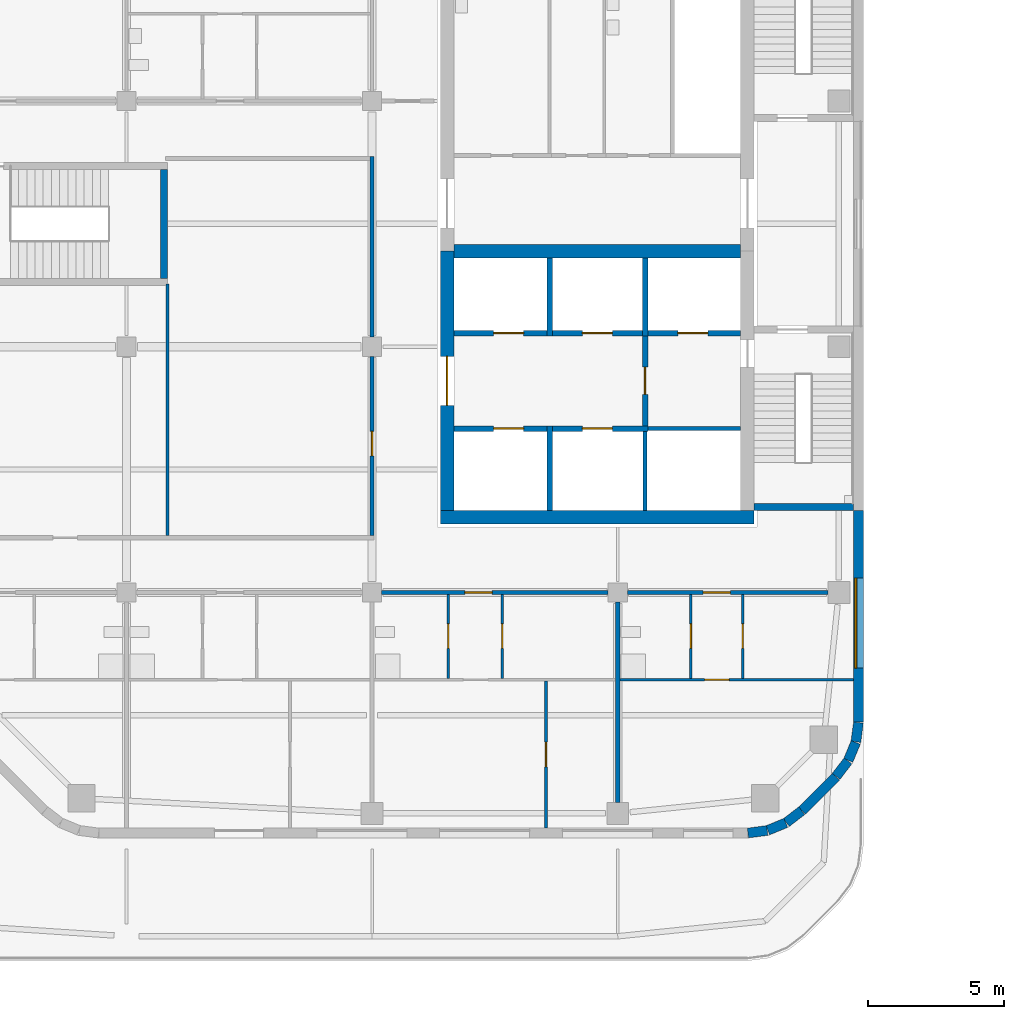
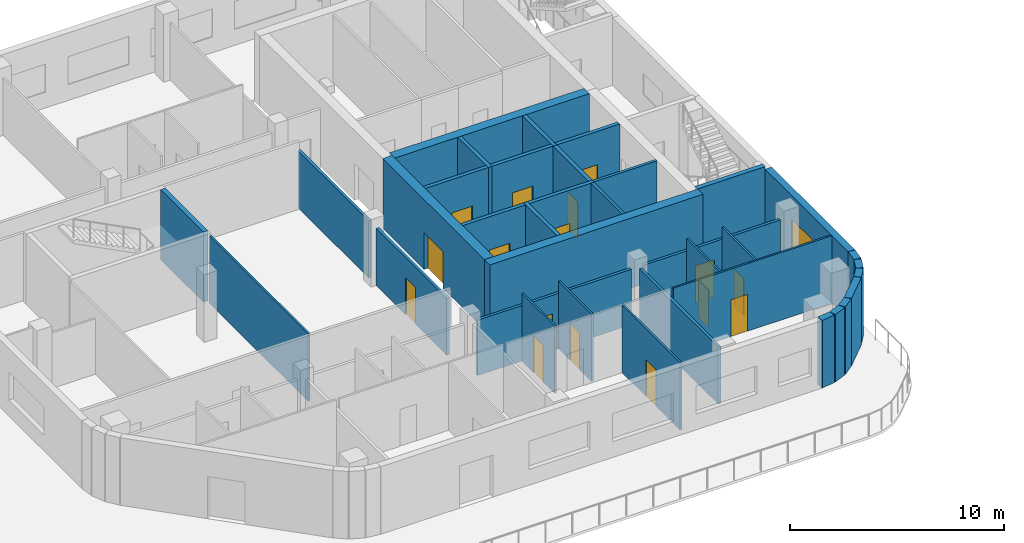
# One storey, part 6 of 15: 36 walls, 16 doors, 1 window, 17 openings.
"""IFC4 building model written with IfcOpenShell, lengths in metres."""

from ifc_helpers import new_model, si_unit, direction, frame, frame_2d, origin, place, context, subcontext, project, spatial, rectangle, extrude, material, layer, layer_set, type_object, element, fill, save


model = new_model("IFC4")

# Units and contexts
model_context = context("Model", 3, precision=1e-05, world=origin(), true_north=direction((0.0, 1.0)))
body_context = subcontext(model_context, "Body", "Model", "MODEL_VIEW")
ifc_project = project(units=[si_unit("LENGTHUNIT", "METRE"), si_unit("AREAUNIT", "SQUARE_METRE"), si_unit("VOLUMEUNIT", "CUBIC_METRE"), si_unit("PLANEANGLEUNIT", "RADIAN"), si_unit("MASSUNIT", "GRAM", prefix="KILO")], contexts=[model_context])

# Site, building, storey
site_placement = place(None, origin())
site = spatial("IfcSite", under=ifc_project, at=site_placement, CompositionType="ELEMENT")
building_placement = place(site_placement, origin())
building = spatial("IfcBuilding", under=site, at=building_placement, Name="Cinnabar Reach Civic Tower", CompositionType="ELEMENT")
storey_placement = place(building_placement, frame((0.0, 0.0, 51.0)))
storey = spatial("IfcBuildingStorey", under=building, at=storey_placement, Name="L11", CompositionType="ELEMENT", Elevation=51.0)

# Walls
ifc_material_1 = material(Name="Facing brick with insulated backing", Category="masonry")
ifc_layer_1 = layer(ifc_material_1, 0.36)
ifc_layer_set_1 = layer_set([ifc_layer_1], Name="Brick corner wall")
wall_type_1 = type_object("IfcWallType", Name="Brick corner wall", PredefinedType="STANDARD", material=ifc_layer_set_1)
for number, where, z_axis, x_axis, name in (
    (1, (-31.2314, 9.183, 0.0), (0.0, 0.0, 1.0), (0.99144092581, 0.13055608231, 0.0), "Brick corner wall"),
    (2, (-30.5027, 9.2819, 0.0), (0.0, 0.0, 1.0), (0.923871547278, 0.382702709855, 0.0), "Brick corner wall"),
):
    element("IfcWall", number, at=place(storey_placement, frame(where, z_axis=z_axis, x_axis=x_axis)), inside=storey, type_object=wall_type_1, Name=name, PredefinedType="STANDARD", context=body_context, shape_type="SweptSolid", body=[
        extrude(rectangle(XDim=0.7131, YDim=0.36, at=frame_2d((0.3565, 0.0))), origin(), (0.0, 0.0, 1.0), 3.85),
    ])
for number, where, z_axis, x_axis, name in (
    (3, (-29.8245, 9.566, 0.0), (0.0, 0.0, 1.0), (0.793321924995, 0.608802368033, 0.0), "Brick corner wall"),
    (4, (-28.0002, 11.2587, 0.0), (0.0, 0.0, 1.0), (0.608802368033, 0.793321924995, 0.0), "Brick corner wall"),
):
    element("IfcWall", number, at=place(storey_placement, frame(where, z_axis=z_axis, x_axis=x_axis)), inside=storey, type_object=wall_type_1, Name=name, PredefinedType="STANDARD", context=body_context, shape_type="SweptSolid", body=[
        extrude(rectangle(XDim=0.7132, YDim=0.36, at=frame_2d((0.3566, 0.0))), origin(), (0.0, 0.0, 1.0), 3.85),
    ])
for number, where, z_axis, x_axis, name in (
    (5, (-27.5548, 11.8439, 0.0), (0.0, 0.0, 1.0), (0.382702709855, 0.923871547278, 0.0), "Brick corner wall"),
    (6, (-27.2761, 12.5244, 0.0), (0.0, 0.0, 1.0), (0.13055608231, 0.99144092581, 0.0), "Brick corner wall"),
):
    element("IfcWall", number, at=place(storey_placement, frame(where, z_axis=z_axis, x_axis=x_axis)), inside=storey, type_object=wall_type_1, Name=name, PredefinedType="STANDARD", context=body_context, shape_type="SweptSolid", body=[
        extrude(rectangle(XDim=0.7131, YDim=0.36, at=frame_2d((0.3565, 0.0))), origin(), (0.0, 0.0, 1.0), 3.85),
    ])
ifc_layer_2 = layer(ifc_material_1, 0.36)
ifc_layer_set_2 = layer_set([ifc_layer_2], Name="Brick pier and spandrel wall")
wall_type_2 = type_object("IfcWallType", Name="Brick pier and spandrel wall", PredefinedType="STANDARD", material=ifc_layer_set_2)
wall_1_placement = place(storey_placement, frame((-29.2486, 10.006, 0.0), z_axis=(0.0, 0.0, 1.0), x_axis=(0.707106781187, 0.707106781187, 0.0)))
element("IfcWall", 7, at=wall_1_placement, inside=storey, type_object=wall_type_2, Name="Brick facade wall", PredefinedType="STANDARD", context=body_context, shape_type="SweptSolid", body=[
    extrude(rectangle(XDim=1.7573, YDim=0.36, at=frame_2d((0.8787, 0.0))), origin(), (0.0, 0.0, 1.0), 3.85),
])

# Wall, opening, window
wall_2_placement = place(storey_placement, frame((-27.18, 13.2426, 0.0), z_axis=(0.0, 0.0, 1.0), x_axis=(0.0, 1.0, 0.0)))
wall_2 = element("IfcWall", 8, at=wall_2_placement, inside=storey, type_object=wall_type_2, Name="Brick facade wall", PredefinedType="STANDARD", context=body_context, shape_type="SweptSolid", body=[
    extrude(rectangle(XDim=7.7574, YDim=0.36, at=frame_2d((3.8787, 0.0))), origin(), (0.0, 0.0, 1.0), 3.85),
])
opening_1_placement = place(wall_2_placement, frame((1.9824, 0.0, 0.9)))
opening_1 = element("IfcOpeningElement", 9, at=opening_1_placement, cuts=wall_2, Name="Opening W2486", PredefinedType="OPENING", context=body_context, shape_type="SweptSolid", body=[
    extrude(rectangle(XDim=3.3, YDim=1.6, at=frame_2d((1.65, 0.8))), frame((0.0, 0.19, 0.0), z_axis=(0.0, -1.0, 0.0), x_axis=(1.0, 0.0, 0.0)), (0.0, 0.0, 1.0), 0.38),
])
ifc_material_2 = material(Name="Clear double glazing in aluminium frame", Category="aluminium")
window_type = type_object("IfcWindowType", Name="Deep-set window A", PartitioningType="SINGLE_PANEL", PredefinedType="WINDOW", material=ifc_material_2)
window_placement = place(opening_1_placement, origin())
window = element("IfcWindow", 10, at=window_placement, inside=storey, type_object=window_type, Name="Window east face", OverallHeight=1.6, OverallWidth=3.3, PartitioningType="SINGLE_PANEL", PredefinedType="WINDOW", context=body_context, shape_type="SweptSolid", body=[
    extrude(rectangle(XDim=3.3, YDim=1.6, at=frame_2d((1.65, 0.8))), frame((0.0, 0.13, 0.0), z_axis=(0.0, -1.0, 0.0), x_axis=(1.0, 0.0, 0.0)), (0.0, 0.0, 1.0), 0.06),
])
fill(opening_1, window)

# Wall
ifc_material_3 = material(Name="Concrete C60", Category="concrete")
ifc_layer_3 = layer(ifc_material_3, 0.5)
ifc_layer_set_3 = layer_set([ifc_layer_3], Name="Core wall 500 EI 180")
wall_type_3 = type_object("IfcWallType", Name="Core wall 500 EI 180", PredefinedType="SOLIDWALL", material=ifc_layer_set_3)
wall_3_placement = place(storey_placement, frame((-42.5, 20.75, 0.0), z_axis=(0.0, 0.0, 1.0), x_axis=(1.0, 0.0, 0.0)))
element("IfcWall", 11, at=wall_3_placement, inside=storey, type_object=wall_type_3, Name="Core wall T2 L11 S", PredefinedType="SOLIDWALL", context=body_context, shape_type="SweptSolid", body=[
    extrude(rectangle(XDim=11.5, YDim=0.5, at=frame_2d((5.75, 0.0))), origin(), (0.0, 0.0, 1.0), 4.0),
])

# Wall, opening, door
wall_4_placement = place(storey_placement, frame((-42.25, 30.5, 0.0), z_axis=(0.0, 0.0, 1.0), x_axis=(0.0, -1.0, 0.0)))
wall_4 = element("IfcWall", 12, at=wall_4_placement, inside=storey, type_object=wall_type_3, Name="Core wall T2 L11 W2", PredefinedType="SOLIDWALL", context=body_context, shape_type="SweptSolid", body=[
    extrude(rectangle(XDim=9.5, YDim=0.5, at=frame_2d((4.75, 0.0))), origin(), (0.0, 0.0, 1.0), 4.0),
])
opening_2_placement = place(wall_4_placement, frame((3.85, 0.0, 0.0)))
opening_2 = element("IfcOpeningElement", 13, at=opening_2_placement, cuts=wall_4, Name="Opening D6407", PredefinedType="OPENING", context=body_context, shape_type="SweptSolid", body=[
    extrude(rectangle(XDim=1.8, YDim=2.1, at=frame_2d((0.9, 1.05))), frame((0.0, 0.26, 0.0), z_axis=(0.0, -1.0, 0.0), x_axis=(1.0, 0.0, 0.0)), (0.0, 0.0, 1.0), 0.52),
])
ifc_material_4 = material(Name="Steel fire door", Category="steel")
door_type_1 = type_object("IfcDoorType", Name="T2 Double door 1800", OperationType="DOUBLE_DOOR_SINGLE_SWING", PredefinedType="DOOR", material=ifc_material_4)
door_1_placement = place(opening_2_placement, origin())
door_1 = element("IfcDoor", 14, at=door_1_placement, inside=storey, type_object=door_type_1, Name="T2 Double door D6407", OperationType="DOUBLE_DOOR_SINGLE_SWING", OverallHeight=2.1, OverallWidth=1.8, PredefinedType="DOOR", context=body_context, shape_type="SweptSolid", body=[
    extrude(rectangle(XDim=1.8, YDim=2.1, at=frame_2d((0.9, 1.05))), frame((0.0, 0.025, 0.0), z_axis=(0.0, -1.0, 0.0), x_axis=(1.0, 0.0, 0.0)), (0.0, 0.0, 1.0), 0.05),
])
fill(opening_2, door_1)

# Wall
wall_5_placement = place(storey_placement, frame((-42.0, 30.5, 0.0), z_axis=(0.0, 0.0, 1.0), x_axis=(1.0, 0.0, 0.0)))
element("IfcWall", 15, at=wall_5_placement, inside=storey, type_object=wall_type_3, Name="Core spine wall T2 L11", PredefinedType="SOLIDWALL", context=body_context, shape_type="SweptSolid", body=[
    extrude(rectangle(XDim=10.5, YDim=0.5, at=frame_2d((5.25, 0.0))), origin(), (0.0, 0.0, 1.0), 4.0),
])

# Wall, opening, door
ifc_material_5 = material(Name="Gypsum board on steel studs, double layer", Category="steel")
ifc_layer_4 = layer(ifc_material_5, 0.15)
ifc_layer_set_4 = layer_set([ifc_layer_4], Name="Corridor wall 150 T2")
wall_type_4 = type_object("IfcWallType", Name="Corridor wall 150 T2", PredefinedType="PARTITIONING", material=ifc_layer_set_4)
wall_6_placement = place(storey_placement, frame((-35.65, 18.0, 0.0), z_axis=(0.0, 0.0, 1.0), x_axis=(1.0, 0.0, 0.0)))
wall_6 = element("IfcWall", 16, at=wall_6_placement, inside=storey, type_object=wall_type_4, Name="Corridor wall 1", PredefinedType="PARTITIONING", context=body_context, shape_type="SweptSolid", body=[
    extrude(rectangle(XDim=7.35, YDim=0.15, at=frame_2d((3.675, 0.0))), origin(), (0.0, 0.0, 1.0), 3.158),
])
opening_3_placement = place(wall_6_placement, frame((2.7784, 0.0, 0.0)))
opening_3 = element("IfcOpeningElement", 17, at=opening_3_placement, cuts=wall_6, Name="Opening D6430", PredefinedType="OPENING", context=body_context, shape_type="SweptSolid", body=[
    extrude(rectangle(XDim=1.0, YDim=2.1, at=frame_2d((0.5, 1.05))), frame((0.0, 0.085, 0.0), z_axis=(0.0, -1.0, 0.0), x_axis=(1.0, 0.0, 0.0)), (0.0, 0.0, 1.0), 0.17),
])
ifc_material_6 = material(Name="Timber door leaf in steel frame", Category="steel")
door_type_2 = type_object("IfcDoorType", Name="Tenancy entrance door 1000 x 2100 T2", OperationType="SINGLE_SWING_LEFT", PredefinedType="DOOR", material=ifc_material_6)
door_2_placement = place(opening_3_placement, frame((1.0, 0.0, 0.0), z_axis=(0.0, 0.0, 1.0), x_axis=(-1.0, 0.0, 0.0)))
door_2 = element("IfcDoor", 18, at=door_2_placement, inside=storey, type_object=door_type_2, Name="Door D6430", OperationType="SINGLE_SWING_RIGHT", OverallHeight=2.1, OverallWidth=1.0, PredefinedType="DOOR", context=body_context, shape_type="SweptSolid", body=[
    extrude(rectangle(XDim=1.0, YDim=2.1, at=frame_2d((0.5, 1.05))), frame((0.0, 0.025, 0.0), z_axis=(0.0, -1.0, 0.0), x_axis=(1.0, 0.0, 0.0)), (0.0, 0.0, 1.0), 0.05),
])
fill(opening_3, door_2)

wall_7_placement = place(storey_placement, frame((-44.65, 18.0, 0.0), z_axis=(0.0, 0.0, 1.0), x_axis=(1.0, 0.0, 0.0)))
wall_7 = element("IfcWall", 19, at=wall_7_placement, inside=storey, type_object=wall_type_4, Name="Corridor wall 2", PredefinedType="PARTITIONING", context=body_context, shape_type="SweptSolid", body=[
    extrude(rectangle(XDim=8.3, YDim=0.15, at=frame_2d((4.15, 0.0))), origin(), (0.0, 0.0, 1.0), 3.158),
])
opening_4_placement = place(wall_7_placement, frame((3.05, 0.0, 0.0)))
opening_4 = element("IfcOpeningElement", 20, at=opening_4_placement, cuts=wall_7, Name="Opening D6426", PredefinedType="OPENING", context=body_context, shape_type="SweptSolid", body=[
    extrude(rectangle(XDim=1.0, YDim=2.1, at=frame_2d((0.5, 1.05))), frame((0.0, 0.085, 0.0), z_axis=(0.0, -1.0, 0.0), x_axis=(1.0, 0.0, 0.0)), (0.0, 0.0, 1.0), 0.17),
])
door_3_placement = place(opening_4_placement, frame((1.0, 0.0, 0.0), z_axis=(0.0, 0.0, 1.0), x_axis=(-1.0, 0.0, 0.0)))
door_3 = element("IfcDoor", 21, at=door_3_placement, inside=storey, type_object=door_type_2, Name="Door D6426", OperationType="SINGLE_SWING_LEFT", OverallHeight=2.1, OverallWidth=1.0, PredefinedType="DOOR", context=body_context, shape_type="SweptSolid", body=[
    extrude(rectangle(XDim=1.0, YDim=2.1, at=frame_2d((0.5, 1.05))), frame((0.0, 0.025, 0.0), z_axis=(0.0, -1.0, 0.0), x_axis=(1.0, 0.0, 0.0)), (0.0, 0.0, 1.0), 0.05),
])
fill(opening_4, door_3)

wall_8_placement = place(storey_placement, frame((-45.0, 20.075, 0.0), z_axis=(0.0, 0.0, 1.0), x_axis=(0.0, 1.0, 0.0)))
wall_8 = element("IfcWall", 22, at=wall_8_placement, inside=storey, type_object=wall_type_4, Name="Corridor wall 10", PredefinedType="PARTITIONING", context=body_context, shape_type="SweptSolid", body=[
    extrude(rectangle(XDim=6.575, YDim=0.15, at=frame_2d((3.2875, 0.0))), origin(), (0.0, 0.0, 1.0), 3.256),
])
opening_5_placement = place(wall_8_placement, frame((2.925, 0.0, 0.0)))
opening_5 = element("IfcOpeningElement", 23, at=opening_5_placement, cuts=wall_8, Name="Opening D6439", PredefinedType="OPENING", context=body_context, shape_type="SweptSolid", body=[
    extrude(rectangle(XDim=0.9, YDim=2.1, at=frame_2d((0.45, 1.05))), frame((0.0, 0.085, 0.0), z_axis=(0.0, -1.0, 0.0), x_axis=(1.0, 0.0, 0.0)), (0.0, 0.0, 1.0), 0.17),
])
door_type_3 = type_object("IfcDoorType", Name="Single swing door 900 x 2100 T2", OperationType="SINGLE_SWING_LEFT", PredefinedType="DOOR", material=ifc_material_6)
door_4_placement = place(opening_5_placement, origin())
door_4 = element("IfcDoor", 24, at=door_4_placement, inside=storey, type_object=door_type_3, Name="Door D6439", OperationType="SINGLE_SWING_RIGHT", OverallHeight=2.1, OverallWidth=0.9, PredefinedType="DOOR", context=body_context, shape_type="SweptSolid", body=[
    extrude(rectangle(XDim=0.9, YDim=2.1, at=frame_2d((0.45, 1.05))), frame((0.0, 0.025, 0.0), z_axis=(0.0, -1.0, 0.0), x_axis=(1.0, 0.0, 0.0)), (0.0, 0.0, 1.0), 0.05),
])
fill(opening_5, door_4)

# Wall
wall_9_placement = place(storey_placement, frame((-45.0, 27.35, 0.0), z_axis=(0.0, 0.0, 1.0), x_axis=(0.0, 1.0, 0.0)))
element("IfcWall", 25, at=wall_9_placement, inside=storey, type_object=wall_type_4, Name="Corridor wall 11", PredefinedType="PARTITIONING", context=body_context, shape_type="SweptSolid", body=[
    extrude(rectangle(XDim=6.625, YDim=0.15, at=frame_2d((3.3125, 0.0))), origin(), (0.0, 0.0, 1.0), 3.256),
])

# Wall, opening, door
ifc_material_7 = material(Name="Gypsum board on steel studs", Category="steel")
ifc_layer_5 = layer(ifc_material_7, 0.1)
ifc_layer_set_5 = layer_set([ifc_layer_5], Name="Partition wall 100 T2")
wall_type_5 = type_object("IfcWallType", Name="Partition wall 100 T2", PredefinedType="PARTITIONING", material=ifc_layer_set_5)
wall_10_placement = place(storey_placement, frame((-35.925, 14.8, 0.0), z_axis=(0.0, 0.0, 1.0), x_axis=(1.0, 0.0, 0.0)))
wall_10 = element("IfcWall", 26, at=wall_10_placement, inside=storey, type_object=wall_type_5, Name="Partition wall 17", PredefinedType="PARTITIONING", context=body_context, shape_type="SweptSolid", body=[
    extrude(rectangle(XDim=8.565, YDim=0.1, at=frame_2d((4.2825, 0.0))), origin(), (0.0, 0.0, 1.0), 3.85),
])
opening_6_placement = place(wall_10_placement, frame((3.1034, 0.0, 0.0)))
opening_6 = element("IfcOpeningElement", 27, at=opening_6_placement, cuts=wall_10, Name="Opening D6429", PredefinedType="OPENING", context=body_context, shape_type="SweptSolid", body=[
    extrude(rectangle(XDim=0.9, YDim=2.1, at=frame_2d((0.45, 1.05))), frame((0.0, 0.06, 0.0), z_axis=(0.0, -1.0, 0.0), x_axis=(1.0, 0.0, 0.0)), (0.0, 0.0, 1.0), 0.12),
])
door_5_placement = place(opening_6_placement, origin())
door_5 = element("IfcDoor", 28, at=door_5_placement, inside=storey, type_object=door_type_3, Name="Door D6429", OperationType="SINGLE_SWING_LEFT", OverallHeight=2.1, OverallWidth=0.9, PredefinedType="DOOR", context=body_context, shape_type="SweptSolid", body=[
    extrude(rectangle(XDim=0.9, YDim=2.1, at=frame_2d((0.45, 1.05))), frame((0.0, 0.025, 0.0), z_axis=(0.0, -1.0, 0.0), x_axis=(1.0, 0.0, 0.0)), (0.0, 0.0, 1.0), 0.05),
])
fill(opening_6, door_5)

# Wall
wall_11_placement = place(storey_placement, frame((-52.5, 20.075, 0.0), z_axis=(0.0, 0.0, 1.0), x_axis=(0.0, 1.0, 0.0)))
element("IfcWall", 29, at=wall_11_placement, inside=storey, type_object=wall_type_5, Name="Partition wall 24", PredefinedType="PARTITIONING", context=body_context, shape_type="SweptSolid", body=[
    extrude(rectangle(XDim=9.225, YDim=0.1, at=frame_2d((4.6125, 0.0))), origin(), (0.0, 0.0, 1.0), 3.85),
])

# Wall, opening, door
wall_12_placement = place(storey_placement, frame((-38.63, 9.36, 0.0), z_axis=(0.0, 0.0, 1.0), x_axis=(0.0, 1.0, 0.0)))
wall_12 = element("IfcWall", 30, at=wall_12_placement, inside=storey, type_object=wall_type_5, Name="Partition wall 27", PredefinedType="PARTITIONING", context=body_context, shape_type="SweptSolid", body=[
    extrude(rectangle(XDim=5.39, YDim=0.1, at=frame_2d((2.695, 0.0))), origin(), (0.0, 0.0, 1.0), 3.85),
])
opening_7_placement = place(wall_12_placement, frame((2.25, 0.0, 0.0)))
opening_7 = element("IfcOpeningElement", 31, at=opening_7_placement, cuts=wall_12, Name="Opening D6425", PredefinedType="OPENING", context=body_context, shape_type="SweptSolid", body=[
    extrude(rectangle(XDim=0.9, YDim=2.1, at=frame_2d((0.45, 1.05))), frame((0.0, 0.06, 0.0), z_axis=(0.0, -1.0, 0.0), x_axis=(1.0, 0.0, 0.0)), (0.0, 0.0, 1.0), 0.12),
])
door_6_placement = place(opening_7_placement, frame((0.9, 0.0, 0.0), z_axis=(0.0, 0.0, 1.0), x_axis=(-1.0, 0.0, 0.0)))
door_6 = element("IfcDoor", 32, at=door_6_placement, inside=storey, type_object=door_type_3, Name="Door D6425", OperationType="SINGLE_SWING_LEFT", OverallHeight=2.1, OverallWidth=0.9, PredefinedType="DOOR", context=body_context, shape_type="SweptSolid", body=[
    extrude(rectangle(XDim=0.9, YDim=2.1, at=frame_2d((0.45, 1.05))), frame((0.0, 0.025, 0.0), z_axis=(0.0, -1.0, 0.0), x_axis=(1.0, 0.0, 0.0)), (0.0, 0.0, 1.0), 0.05),
])
fill(opening_7, door_6)

wall_13_placement = place(storey_placement, frame((-42.21, 14.85, 0.0), z_axis=(0.0, 0.0, 1.0), x_axis=(0.0, 1.0, 0.0)))
wall_13 = element("IfcWall", 33, at=wall_13_placement, inside=storey, type_object=wall_type_5, Name="Partition wall 36", PredefinedType="PARTITIONING", context=body_context, shape_type="SweptSolid", body=[
    extrude(rectangle(XDim=3.075, YDim=0.1, at=frame_2d((1.5375, 0.0))), origin(), (0.0, 0.0, 1.0), 3.85),
])
opening_8_placement = place(wall_13_placement, frame((1.1, 0.0, 0.0)))
opening_8 = element("IfcOpeningElement", 34, at=opening_8_placement, cuts=wall_13, Name="Opening D6422", PredefinedType="OPENING", context=body_context, shape_type="SweptSolid", body=[
    extrude(rectangle(XDim=0.9, YDim=2.1, at=frame_2d((0.45, 1.05))), frame((0.0, 0.06, 0.0), z_axis=(0.0, -1.0, 0.0), x_axis=(1.0, 0.0, 0.0)), (0.0, 0.0, 1.0), 0.12),
])
door_7_placement = place(opening_8_placement, origin())
door_7 = element("IfcDoor", 35, at=door_7_placement, inside=storey, type_object=door_type_3, Name="Door D6422", OperationType="SINGLE_SWING_RIGHT", OverallHeight=2.1, OverallWidth=0.9, PredefinedType="DOOR", context=body_context, shape_type="SweptSolid", body=[
    extrude(rectangle(XDim=0.9, YDim=2.1, at=frame_2d((0.45, 1.05))), frame((0.0, 0.025, 0.0), z_axis=(0.0, -1.0, 0.0), x_axis=(1.0, 0.0, 0.0)), (0.0, 0.0, 1.0), 0.05),
])
fill(opening_8, door_7)

wall_14_placement = place(storey_placement, frame((-40.23, 14.85, 0.0), z_axis=(0.0, 0.0, 1.0), x_axis=(0.0, 1.0, 0.0)))
wall_14 = element("IfcWall", 36, at=wall_14_placement, inside=storey, type_object=wall_type_5, Name="Partition wall 37", PredefinedType="PARTITIONING", context=body_context, shape_type="SweptSolid", body=[
    extrude(rectangle(XDim=3.075, YDim=0.1, at=frame_2d((1.5375, 0.0))), origin(), (0.0, 0.0, 1.0), 3.85),
])
opening_9_placement = place(wall_14_placement, frame((1.1, 0.0, 0.0)))
opening_9 = element("IfcOpeningElement", 37, at=opening_9_placement, cuts=wall_14, Name="Opening D6423", PredefinedType="OPENING", context=body_context, shape_type="SweptSolid", body=[
    extrude(rectangle(XDim=0.9, YDim=2.1, at=frame_2d((0.45, 1.05))), frame((0.0, 0.06, 0.0), z_axis=(0.0, -1.0, 0.0), x_axis=(1.0, 0.0, 0.0)), (0.0, 0.0, 1.0), 0.12),
])
door_8_placement = place(opening_9_placement, origin())
door_8 = element("IfcDoor", 38, at=door_8_placement, inside=storey, type_object=door_type_3, Name="Door D6423", OperationType="SINGLE_SWING_RIGHT", OverallHeight=2.1, OverallWidth=0.9, PredefinedType="DOOR", context=body_context, shape_type="SweptSolid", body=[
    extrude(rectangle(XDim=0.9, YDim=2.1, at=frame_2d((0.45, 1.05))), frame((0.0, 0.025, 0.0), z_axis=(0.0, -1.0, 0.0), x_axis=(1.0, 0.0, 0.0)), (0.0, 0.0, 1.0), 0.05),
])
fill(opening_9, door_8)

wall_15_placement = place(storey_placement, frame((-33.3216, 14.85, 0.0), z_axis=(0.0, 0.0, 1.0), x_axis=(0.0, 1.0, 0.0)))
wall_15 = element("IfcWall", 39, at=wall_15_placement, inside=storey, type_object=wall_type_5, Name="Partition wall 38", PredefinedType="PARTITIONING", context=body_context, shape_type="SweptSolid", body=[
    extrude(rectangle(XDim=3.075, YDim=0.1, at=frame_2d((1.5375, 0.0))), origin(), (0.0, 0.0, 1.0), 3.85),
])
opening_10_placement = place(wall_15_placement, frame((1.1, 0.0, 0.0)))
opening_10 = element("IfcOpeningElement", 40, at=opening_10_placement, cuts=wall_15, Name="Opening D6427", PredefinedType="OPENING", context=body_context, shape_type="SweptSolid", body=[
    extrude(rectangle(XDim=0.9, YDim=2.1, at=frame_2d((0.45, 1.05))), frame((0.0, 0.06, 0.0), z_axis=(0.0, -1.0, 0.0), x_axis=(1.0, 0.0, 0.0)), (0.0, 0.0, 1.0), 0.12),
])
door_9_placement = place(opening_10_placement, origin())
door_9 = element("IfcDoor", 41, at=door_9_placement, inside=storey, type_object=door_type_3, Name="Door D6427", OperationType="SINGLE_SWING_RIGHT", OverallHeight=2.1, OverallWidth=0.9, PredefinedType="DOOR", context=body_context, shape_type="SweptSolid", body=[
    extrude(rectangle(XDim=0.9, YDim=2.1, at=frame_2d((0.45, 1.05))), frame((0.0, 0.025, 0.0), z_axis=(0.0, -1.0, 0.0), x_axis=(1.0, 0.0, 0.0)), (0.0, 0.0, 1.0), 0.05),
])
fill(opening_10, door_9)

wall_16_placement = place(storey_placement, frame((-31.4208, 14.85, 0.0), z_axis=(0.0, 0.0, 1.0), x_axis=(0.0, 1.0, 0.0)))
wall_16 = element("IfcWall", 42, at=wall_16_placement, inside=storey, type_object=wall_type_5, Name="Partition wall 39", PredefinedType="PARTITIONING", context=body_context, shape_type="SweptSolid", body=[
    extrude(rectangle(XDim=3.075, YDim=0.1, at=frame_2d((1.5375, 0.0))), origin(), (0.0, 0.0, 1.0), 3.85),
])
opening_11_placement = place(wall_16_placement, frame((1.1, 0.0, 0.0)))
opening_11 = element("IfcOpeningElement", 43, at=opening_11_placement, cuts=wall_16, Name="Opening D6428", PredefinedType="OPENING", context=body_context, shape_type="SweptSolid", body=[
    extrude(rectangle(XDim=0.9, YDim=2.1, at=frame_2d((0.45, 1.05))), frame((0.0, 0.06, 0.0), z_axis=(0.0, -1.0, 0.0), x_axis=(1.0, 0.0, 0.0)), (0.0, 0.0, 1.0), 0.12),
])
door_10_placement = place(opening_11_placement, origin())
door_10 = element("IfcDoor", 44, at=door_10_placement, inside=storey, type_object=door_type_3, Name="Door D6428", OperationType="SINGLE_SWING_LEFT", OverallHeight=2.1, OverallWidth=0.9, PredefinedType="DOOR", context=body_context, shape_type="SweptSolid", body=[
    extrude(rectangle(XDim=0.9, YDim=2.1, at=frame_2d((0.45, 1.05))), frame((0.0, 0.025, 0.0), z_axis=(0.0, -1.0, 0.0), x_axis=(1.0, 0.0, 0.0)), (0.0, 0.0, 1.0), 0.05),
])
fill(opening_11, door_10)

# Walls
ifc_layer_6 = layer(ifc_material_3, 0.25)
ifc_layer_set_6 = layer_set([ifc_layer_6], Name="Stair shaft wall 250 EI 120")
wall_type_6 = type_object("IfcWallType", Name="Stair shaft wall 250 EI 120", PredefinedType="SOLIDWALL", material=ifc_layer_set_6)
wall_17_placement = place(storey_placement, frame((-31.0, 21.125, 0.0), z_axis=(0.0, 0.0, 1.0), x_axis=(1.0, 0.0, 0.0)))
element("IfcWall", 45, at=wall_17_placement, inside=storey, type_object=wall_type_6, Name="Stair shaft wall T2-S1 L11", PredefinedType="SOLIDWALL", context=body_context, shape_type="SweptSolid", body=[
    extrude(rectangle(XDim=3.64, YDim=0.25, at=frame_2d((1.82, 0.0))), origin(), (0.0, 0.0, 1.0), 4.0),
])
wall_18_placement = place(storey_placement, frame((-52.625, 29.5, 0.0), z_axis=(0.0, 0.0, 1.0), x_axis=(0.0, 1.0, 0.0)))
element("IfcWall", 46, at=wall_18_placement, inside=storey, type_object=wall_type_6, Name="Stair shaft wall T2-S3 L11", PredefinedType="SOLIDWALL", context=body_context, shape_type="SweptSolid", body=[
    extrude(rectangle(XDim=4.0, YDim=0.25, at=frame_2d((2.0, 0.0))), origin(), (0.0, 0.0, 1.0), 4.0),
])
ifc_material_8 = material(Name="Concrete C40", Category="concrete")
ifc_layer_7 = layer(ifc_material_8, 0.15)
ifc_layer_set_7 = layer_set([ifc_layer_7], Name="T2 Riser wall 150")
wall_type_7 = type_object("IfcWallType", Name="T2 Riser wall 150", PredefinedType="SOLIDWALL", material=ifc_layer_set_7)
wall_19_placement = place(storey_placement, frame((-35.0, 21.0, 0.0), z_axis=(0.0, 0.0, 1.0), x_axis=(0.0, 1.0, 0.0)))
element("IfcWall", 47, at=wall_19_placement, inside=storey, type_object=wall_type_7, Name="T2 Riser wall L11 010", PredefinedType="SOLIDWALL", context=body_context, shape_type="SweptSolid", body=[
    extrude(rectangle(XDim=2.9, YDim=0.15, at=frame_2d((1.45, 0.0))), origin(), (0.0, 0.0, 1.0), 4.0),
])
wall_20_placement = place(storey_placement, frame((-31.5, 24.0, 0.0), z_axis=(0.0, 0.0, 1.0), x_axis=(-1.0, 0.0, 0.0)))
element("IfcWall", 48, at=wall_20_placement, inside=storey, type_object=wall_type_7, Name="T2 Riser wall L11 011", PredefinedType="SOLIDWALL", context=body_context, shape_type="SweptSolid", body=[
    extrude(rectangle(XDim=3.4, YDim=0.15, at=frame_2d((1.7, 0.0))), origin(), (0.0, 0.0, 1.0), 4.0),
])
ifc_layer_8 = layer(ifc_material_8, 0.2)
ifc_layer_set_8 = layer_set([ifc_layer_8], Name="T2 Shaft wall 200")
wall_type_8 = type_object("IfcWallType", Name="T2 Shaft wall 200", PredefinedType="SOLIDWALL", material=ifc_layer_set_8)
wall_21_placement = place(storey_placement, frame((-38.5, 21.0, 0.0), z_axis=(0.0, 0.0, 1.0), x_axis=(0.0, 1.0, 0.0)))
element("IfcWall", 49, at=wall_21_placement, inside=storey, type_object=wall_type_8, Name="T2 Shaft wall L11 001", PredefinedType="SOLIDWALL", context=body_context, shape_type="SweptSolid", body=[
    extrude(rectangle(XDim=3.1, YDim=0.2, at=frame_2d((1.55, 0.0))), origin(), (0.0, 0.0, 1.0), 4.0),
])

# Wall, opening, door
wall_22_placement = place(storey_placement, frame((-38.6, 24.0, 0.0), z_axis=(0.0, 0.0, 1.0), x_axis=(-1.0, 0.0, 0.0)))
wall_22 = element("IfcWall", 50, at=wall_22_placement, inside=storey, type_object=wall_type_8, Name="T2 Shaft wall L11 002", PredefinedType="SOLIDWALL", context=body_context, shape_type="SweptSolid", body=[
    extrude(rectangle(XDim=3.4, YDim=0.2, at=frame_2d((1.7, 0.0))), origin(), (0.0, 0.0, 1.0), 4.0),
])
opening_12_placement = place(wall_22_placement, frame((0.85, 0.0, 0.0)))
opening_12 = element("IfcOpeningElement", 51, at=opening_12_placement, cuts=wall_22, Name="Opening D6397", PredefinedType="OPENING", context=body_context, shape_type="SweptSolid", body=[
    extrude(rectangle(XDim=1.1, YDim=2.1, at=frame_2d((0.55, 1.05))), frame((0.0, 0.11, 0.0), z_axis=(0.0, -1.0, 0.0), x_axis=(1.0, 0.0, 0.0)), (0.0, 0.0, 1.0), 0.22),
])
door_type_4 = type_object("IfcDoorType", Name="T2 Lift landing door 1100", OperationType="SLIDING_TO_LEFT", PredefinedType="DOOR", material=ifc_material_4)
door_11_placement = place(opening_12_placement, origin())
door_11 = element("IfcDoor", 52, at=door_11_placement, inside=storey, type_object=door_type_4, Name="T2 Lift landing door D6397", OperationType="SLIDING_TO_LEFT", OverallHeight=2.1, OverallWidth=1.1, PredefinedType="DOOR", context=body_context, shape_type="SweptSolid", body=[
    extrude(rectangle(XDim=1.1, YDim=2.1, at=frame_2d((0.55, 1.05))), frame((0.0, 0.025, 0.0), z_axis=(0.0, -1.0, 0.0), x_axis=(1.0, 0.0, 0.0)), (0.0, 0.0, 1.0), 0.05),
])
fill(opening_12, door_11)

wall_23_placement = place(storey_placement, frame((-34.9, 24.0, 0.0), z_axis=(0.0, 0.0, 1.0), x_axis=(-1.0, 0.0, 0.0)))
wall_23 = element("IfcWall", 53, at=wall_23_placement, inside=storey, type_object=wall_type_8, Name="T2 Shaft wall L11 003", PredefinedType="SOLIDWALL", context=body_context, shape_type="SweptSolid", body=[
    extrude(rectangle(XDim=3.5, YDim=0.2, at=frame_2d((1.75, 0.0))), origin(), (0.0, 0.0, 1.0), 4.0),
])
opening_13_placement = place(wall_23_placement, frame((1.3, 0.0, 0.0)))
opening_13 = element("IfcOpeningElement", 54, at=opening_13_placement, cuts=wall_23, Name="Opening D6398", PredefinedType="OPENING", context=body_context, shape_type="SweptSolid", body=[
    extrude(rectangle(XDim=1.1, YDim=2.1, at=frame_2d((0.55, 1.05))), frame((0.0, 0.11, 0.0), z_axis=(0.0, -1.0, 0.0), x_axis=(1.0, 0.0, 0.0)), (0.0, 0.0, 1.0), 0.22),
])
door_12_placement = place(opening_13_placement, origin())
door_12 = element("IfcDoor", 55, at=door_12_placement, inside=storey, type_object=door_type_4, Name="T2 Lift landing door D6398", OperationType="SLIDING_TO_LEFT", OverallHeight=2.1, OverallWidth=1.1, PredefinedType="DOOR", context=body_context, shape_type="SweptSolid", body=[
    extrude(rectangle(XDim=1.1, YDim=2.1, at=frame_2d((0.55, 1.05))), frame((0.0, 0.025, 0.0), z_axis=(0.0, -1.0, 0.0), x_axis=(1.0, 0.0, 0.0)), (0.0, 0.0, 1.0), 0.05),
])
fill(opening_13, door_12)

# Wall
wall_24_placement = place(storey_placement, frame((-38.5, 27.4, 0.0), z_axis=(0.0, 0.0, 1.0), x_axis=(0.0, 1.0, 0.0)))
element("IfcWall", 56, at=wall_24_placement, inside=storey, type_object=wall_type_8, Name="T2 Shaft wall L11 004", PredefinedType="SOLIDWALL", context=body_context, shape_type="SweptSolid", body=[
    extrude(rectangle(XDim=2.85, YDim=0.2, at=frame_2d((1.425, 0.0))), origin(), (0.0, 0.0, 1.0), 4.0),
])

# Wall, opening, door
wall_25_placement = place(storey_placement, frame((-42.0, 27.5, 0.0), z_axis=(0.0, 0.0, 1.0), x_axis=(1.0, 0.0, 0.0)))
wall_25 = element("IfcWall", 57, at=wall_25_placement, inside=storey, type_object=wall_type_8, Name="T2 Shaft wall L11 005", PredefinedType="SOLIDWALL", context=body_context, shape_type="SweptSolid", body=[
    extrude(rectangle(XDim=3.4, YDim=0.2, at=frame_2d((1.7, 0.0))), origin(), (0.0, 0.0, 1.0), 4.0),
])
opening_14_placement = place(wall_25_placement, frame((1.45, 0.0, 0.0)))
opening_14 = element("IfcOpeningElement", 58, at=opening_14_placement, cuts=wall_25, Name="Opening D6399", PredefinedType="OPENING", context=body_context, shape_type="SweptSolid", body=[
    extrude(rectangle(XDim=1.1, YDim=2.1, at=frame_2d((0.55, 1.05))), frame((0.0, 0.11, 0.0), z_axis=(0.0, -1.0, 0.0), x_axis=(1.0, 0.0, 0.0)), (0.0, 0.0, 1.0), 0.22),
])
door_13_placement = place(opening_14_placement, origin())
door_13 = element("IfcDoor", 59, at=door_13_placement, inside=storey, type_object=door_type_4, Name="T2 Lift landing door D6399", OperationType="SLIDING_TO_LEFT", OverallHeight=2.1, OverallWidth=1.1, PredefinedType="DOOR", context=body_context, shape_type="SweptSolid", body=[
    extrude(rectangle(XDim=1.1, YDim=2.1, at=frame_2d((0.55, 1.05))), frame((0.0, 0.025, 0.0), z_axis=(0.0, -1.0, 0.0), x_axis=(1.0, 0.0, 0.0)), (0.0, 0.0, 1.0), 0.05),
])
fill(opening_14, door_13)

# Wall
wall_26_placement = place(storey_placement, frame((-35.0, 27.4, 0.0), z_axis=(0.0, 0.0, 1.0), x_axis=(0.0, 1.0, 0.0)))
element("IfcWall", 60, at=wall_26_placement, inside=storey, type_object=wall_type_8, Name="T2 Shaft wall L11 006", PredefinedType="SOLIDWALL", context=body_context, shape_type="SweptSolid", body=[
    extrude(rectangle(XDim=2.85, YDim=0.2, at=frame_2d((1.425, 0.0))), origin(), (0.0, 0.0, 1.0), 4.0),
])

# Wall, opening, door
wall_27_placement = place(storey_placement, frame((-38.4, 27.5, 0.0), z_axis=(0.0, 0.0, 1.0), x_axis=(1.0, 0.0, 0.0)))
wall_27 = element("IfcWall", 61, at=wall_27_placement, inside=storey, type_object=wall_type_8, Name="T2 Shaft wall L11 007", PredefinedType="SOLIDWALL", context=body_context, shape_type="SweptSolid", body=[
    extrude(rectangle(XDim=3.3, YDim=0.2, at=frame_2d((1.65, 0.0))), origin(), (0.0, 0.0, 1.0), 4.0),
])
opening_15_placement = place(wall_27_placement, frame((1.1, 0.0, 0.0)))
opening_15 = element("IfcOpeningElement", 62, at=opening_15_placement, cuts=wall_27, Name="Opening D6400", PredefinedType="OPENING", context=body_context, shape_type="SweptSolid", body=[
    extrude(rectangle(XDim=1.1, YDim=2.1, at=frame_2d((0.55, 1.05))), frame((0.0, 0.11, 0.0), z_axis=(0.0, -1.0, 0.0), x_axis=(1.0, 0.0, 0.0)), (0.0, 0.0, 1.0), 0.22),
])
door_14_placement = place(opening_15_placement, origin())
door_14 = element("IfcDoor", 63, at=door_14_placement, inside=storey, type_object=door_type_4, Name="T2 Lift landing door D6400", OperationType="SLIDING_TO_LEFT", OverallHeight=2.1, OverallWidth=1.1, PredefinedType="DOOR", context=body_context, shape_type="SweptSolid", body=[
    extrude(rectangle(XDim=1.1, YDim=2.1, at=frame_2d((0.55, 1.05))), frame((0.0, 0.025, 0.0), z_axis=(0.0, -1.0, 0.0), x_axis=(1.0, 0.0, 0.0)), (0.0, 0.0, 1.0), 0.05),
])
fill(opening_15, door_14)

wall_28_placement = place(storey_placement, frame((-34.9, 27.5, 0.0), z_axis=(0.0, 0.0, 1.0), x_axis=(1.0, 0.0, 0.0)))
wall_28 = element("IfcWall", 64, at=wall_28_placement, inside=storey, type_object=wall_type_8, Name="T2 Shaft wall L11 008", PredefinedType="SOLIDWALL", context=body_context, shape_type="SweptSolid", body=[
    extrude(rectangle(XDim=3.4, YDim=0.2, at=frame_2d((1.7, 0.0))), origin(), (0.0, 0.0, 1.0), 4.0),
])
opening_16_placement = place(wall_28_placement, frame((1.1, 0.0, 0.0)))
opening_16 = element("IfcOpeningElement", 65, at=opening_16_placement, cuts=wall_28, Name="Opening D6401", PredefinedType="OPENING", context=body_context, shape_type="SweptSolid", body=[
    extrude(rectangle(XDim=1.1, YDim=2.1, at=frame_2d((0.55, 1.05))), frame((0.0, 0.11, 0.0), z_axis=(0.0, -1.0, 0.0), x_axis=(1.0, 0.0, 0.0)), (0.0, 0.0, 1.0), 0.22),
])
door_type_5 = type_object("IfcDoorType", Name="T2 Firefighting lift landing door 1100", OperationType="SLIDING_TO_LEFT", PredefinedType="DOOR", material=ifc_material_4)
door_15_placement = place(opening_16_placement, origin())
door_15 = element("IfcDoor", 66, at=door_15_placement, inside=storey, type_object=door_type_5, Name="T2 Firefighting lift landing door D6401", OperationType="SLIDING_TO_LEFT", OverallHeight=2.1, OverallWidth=1.1, PredefinedType="DOOR", context=body_context, shape_type="SweptSolid", body=[
    extrude(rectangle(XDim=1.1, YDim=2.1, at=frame_2d((0.55, 1.05))), frame((0.0, 0.025, 0.0), z_axis=(0.0, -1.0, 0.0), x_axis=(1.0, 0.0, 0.0)), (0.0, 0.0, 1.0), 0.05),
])
fill(opening_16, door_15)

wall_29_placement = place(storey_placement, frame((-35.0, 24.1, 0.0), z_axis=(0.0, 0.0, 1.0), x_axis=(0.0, 1.0, 0.0)))
wall_29 = element("IfcWall", 67, at=wall_29_placement, inside=storey, type_object=wall_type_8, Name="T2 Shaft wall L11 009", PredefinedType="SOLIDWALL", context=body_context, shape_type="SweptSolid", body=[
    extrude(rectangle(XDim=3.3, YDim=0.2, at=frame_2d((1.65, 0.0))), origin(), (0.0, 0.0, 1.0), 4.0),
])
opening_17_placement = place(wall_29_placement, frame((1.15, 0.0, 0.0)))
opening_17 = element("IfcOpeningElement", 68, at=opening_17_placement, cuts=wall_29, Name="Opening D6402", PredefinedType="OPENING", context=body_context, shape_type="SweptSolid", body=[
    extrude(rectangle(XDim=1.0, YDim=2.1, at=frame_2d((0.5, 1.05))), frame((0.0, 0.11, 0.0), z_axis=(0.0, -1.0, 0.0), x_axis=(1.0, 0.0, 0.0)), (0.0, 0.0, 1.0), 0.22),
])
door_type_6 = type_object("IfcDoorType", Name="T2 Firefighting lobby door 1000", OperationType="SINGLE_SWING_LEFT", PredefinedType="DOOR", material=ifc_material_4)
door_16_placement = place(opening_17_placement, origin())
door_16 = element("IfcDoor", 69, at=door_16_placement, inside=storey, type_object=door_type_6, Name="T2 Firefighting lobby door D6402", OperationType="SINGLE_SWING_LEFT", OverallHeight=2.1, OverallWidth=1.0, PredefinedType="DOOR", context=body_context, shape_type="SweptSolid", body=[
    extrude(rectangle(XDim=1.0, YDim=2.1, at=frame_2d((0.5, 1.05))), frame((0.0, 0.025, 0.0), z_axis=(0.0, -1.0, 0.0), x_axis=(1.0, 0.0, 0.0)), (0.0, 0.0, 1.0), 0.05),
])
fill(opening_17, door_16)

# Wall
ifc_layer_9 = layer(ifc_material_5, 0.15)
ifc_layer_set_9 = layer_set([ifc_layer_9], Name="Tenancy separating wall 150 T2")
wall_type_9 = type_object("IfcWallType", Name="Tenancy separating wall 150 T2", PredefinedType="PARTITIONING", material=ifc_layer_set_9)
wall_30_placement = place(storey_placement, frame((-36.0, 10.3, 0.0), z_axis=(0.0, 0.0, 1.0), x_axis=(0.0, 1.0, 0.0)))
element("IfcWall", 70, at=wall_30_placement, inside=storey, type_object=wall_type_9, Name="Tenancy separating wall 16", PredefinedType="PARTITIONING", context=body_context, shape_type="SweptSolid", body=[
    extrude(rectangle(XDim=7.35, YDim=0.15, at=frame_2d((3.675, 0.0))), origin(), (0.0, 0.0, 1.0), 3.256),
])

save(model, "model.ifc")
